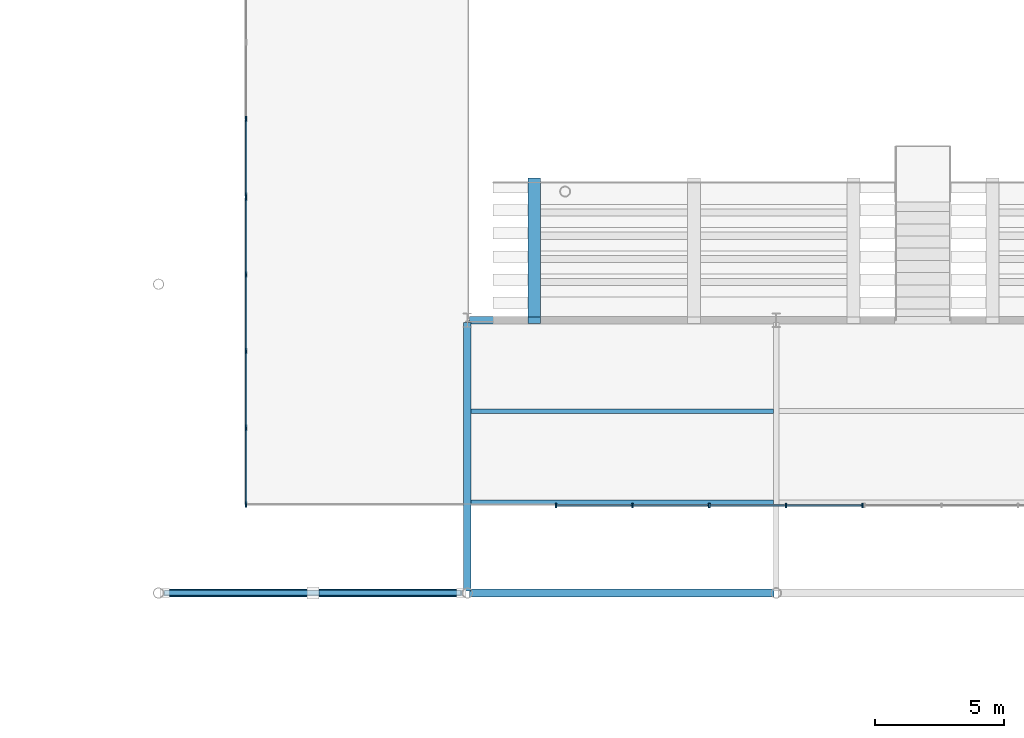
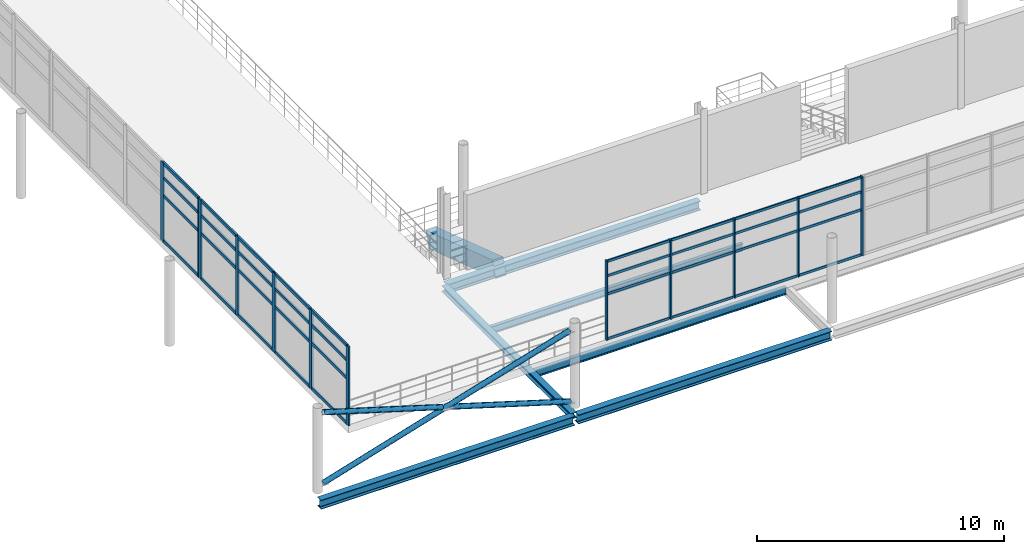
# One storey, part 26 of 89: 51 members, 7 beams, 3 elements without a shape of their own.
"""IFC4 building model written with IfcOpenShell, lengths in metres."""

from ifc_helpers import new_model, si_unit, direction, frame, origin, origin_2d, place, context, subcontext, project, spatial, rectangle, hollow_circle, i_section, extrude, material, material_profile, profile_set, type_object, element, aggregate, save


model = new_model("IFC4")

# Units and contexts
model_context = context("Model", 3, precision=1e-05, world=origin(), true_north=direction((0.0, 1.0)))
body_context = subcontext(model_context, "Body", "Model", "MODEL_VIEW")
ifc_project = project(units=[si_unit("LENGTHUNIT", "METRE"), si_unit("AREAUNIT", "SQUARE_METRE"), si_unit("VOLUMEUNIT", "CUBIC_METRE"), si_unit("PLANEANGLEUNIT", "RADIAN"), si_unit("MASSUNIT", "GRAM", prefix="KILO"), si_unit("THERMODYNAMICTEMPERATUREUNIT", "KELVIN"), si_unit("POWERUNIT", "WATT")], contexts=[model_context])

# Site, building, storey
site_placement = place(None, origin())
site = spatial("IfcSite", under=ifc_project, at=site_placement, CompositionType="ELEMENT")
building_placement = place(site_placement, origin())
building = spatial("IfcBuilding", under=site, at=building_placement, Name="Solmara Park Aquatics Centre", CompositionType="ELEMENT")
storey_placement = place(building_placement, frame((0.0, 0.0, 5.39990234375)))
storey = spatial("IfcBuildingStorey", under=building, at=storey_placement, Name="L01", CompositionType="ELEMENT", Elevation=5.39990234375)

# Curtain wall, members
ifc_material_1 = material(Name="Anodised Aluminium Curtain Wall Framing", Category="aluminium")
curtain_wall_type = type_object("IfcCurtainWallType", Name="ARC-CW-SYS05", PredefinedType="USERDEFINED", material=ifc_material_1)
curtain_wall_1_placement = place(storey_placement, origin())
curtain_wall_1 = element("IfcCurtainWall", 1, at=curtain_wall_1_placement, inside=storey, type_object=curtain_wall_type, Name="Curtain Wall CW-002", ObjectType="CURTAIN WALL", PredefinedType="USERDEFINED")
ifc_material_2 = material(Name="Anodised Aluminium Alloy 6063-T6", Category="aluminium")
ifc_material_profile_1 = material_profile(ifc_material_2, rectangle(XDim=0.06005859375, YDim=0.159912109375, at=origin_2d()), Name="ALU MULLION 60x160")
ifc_profile_set_1 = profile_set([ifc_material_profile_1], Name="Anodised Aluminium Alloy 6063-T6")
member_type_1 = type_object("IfcMemberType", Name="ARC-CWM-60x160", PredefinedType="MULLION", material=ifc_profile_set_1)
member_1_placement = place(storey_placement, frame((28.0400390625, 16.0, 0.0), z_axis=(0.0, 0.0, 1.0), x_axis=(1.0, 0.0, 0.0)))
member_1 = element("IfcMember", 2, at=member_1_placement, type_object=member_type_1, Name="CW-002 mullion 1", PredefinedType="MULLION", context=body_context, shape_type="SweptSolid", body=[
    extrude(rectangle(XDim=0.06005859375, YDim=0.159912109375, at=origin_2d()), origin(), (0.0, 0.0, 1.0), 3.900146484375),
])
member_2_placement = place(storey_placement, frame((31.02001953125, 16.0, 0.0), z_axis=(0.0, 0.0, 1.0), x_axis=(1.0, 0.0, 0.0)))
member_2 = element("IfcMember", 3, at=member_2_placement, type_object=member_type_1, Name="CW-002 mullion 2", PredefinedType="MULLION", context=body_context, shape_type="SweptSolid", body=[
    extrude(rectangle(XDim=0.06005859375, YDim=0.159912109375, at=origin_2d()), origin(), (0.0, 0.0, 1.0), 3.900146484375),
])
member_3_placement = place(storey_placement, frame((34.0, 16.0, 0.0), z_axis=(0.0, 0.0, 1.0), x_axis=(1.0, 0.0, 0.0)))
member_3 = element("IfcMember", 4, at=member_3_placement, type_object=member_type_1, Name="CW-002 mullion 3", PredefinedType="MULLION", context=body_context, shape_type="SweptSolid", body=[
    extrude(rectangle(XDim=0.06005859375, YDim=0.159912109375, at=origin_2d()), origin(), (0.0, 0.0, 1.0), 3.900146484375),
])
member_4_placement = place(storey_placement, frame((36.97998046875, 16.0, 0.0), z_axis=(0.0, 0.0, 1.0), x_axis=(1.0, 0.0, 0.0)))
member_4 = element("IfcMember", 5, at=member_4_placement, type_object=member_type_1, Name="CW-002 mullion 4", PredefinedType="MULLION", context=body_context, shape_type="SweptSolid", body=[
    extrude(rectangle(XDim=0.06005859375, YDim=0.159912109375, at=origin_2d()), origin(), (0.0, 0.0, 1.0), 3.900146484375),
])
member_5_placement = place(storey_placement, frame((39.9599609375, 16.0, 0.0), z_axis=(0.0, 0.0, 1.0), x_axis=(1.0, 0.0, 0.0)))
member_5 = element("IfcMember", 6, at=member_5_placement, type_object=member_type_1, Name="CW-002 mullion 5", PredefinedType="MULLION", context=body_context, shape_type="SweptSolid", body=[
    extrude(rectangle(XDim=0.06005859375, YDim=0.159912109375, at=origin_2d()), origin(), (0.0, 0.0, 1.0), 3.900146484375),
])

curtain_wall_2_placement = place(storey_placement, origin())
curtain_wall_2 = element("IfcCurtainWall", 7, at=curtain_wall_2_placement, inside=storey, type_object=curtain_wall_type, Name="Curtain Wall CW-012", ObjectType="CURTAIN WALL", PredefinedType="USERDEFINED")
ifc_material_profile_2 = material_profile(ifc_material_2, rectangle(XDim=0.074951171875, YDim=0.219970703125, at=origin_2d()), Name="ALU MULLION 75x220")
ifc_profile_set_2 = profile_set([ifc_material_profile_2], Name="Anodised Aluminium Alloy 6063-T6")
member_type_2 = type_object("IfcMemberType", Name="ARC-CWM-75x220", PredefinedType="MULLION", material=ifc_profile_set_2)
member_6_placement = place(storey_placement, frame((16.0, 16.0400390625, 0.0), z_axis=(0.0, 0.0, 1.0), x_axis=(1.0, 0.0, 0.0)))
member_6 = element("IfcMember", 8, at=member_6_placement, type_object=member_type_2, Name="CW-012 mullion 1", PredefinedType="MULLION", context=body_context, shape_type="SweptSolid", body=[
    extrude(rectangle(XDim=0.074951171875, YDim=0.219970703125, at=origin_2d()), origin(), (0.0, 0.0, 1.0), 3.900146484375),
])
member_7_placement = place(storey_placement, frame((16.0, 19.02001953125, 0.0), z_axis=(0.0, 0.0, 1.0), x_axis=(1.0, 0.0, 0.0)))
member_7 = element("IfcMember", 9, at=member_7_placement, type_object=member_type_2, Name="CW-012 mullion 2", PredefinedType="MULLION", context=body_context, shape_type="SweptSolid", body=[
    extrude(rectangle(XDim=0.074951171875, YDim=0.219970703125, at=origin_2d()), origin(), (0.0, 0.0, 1.0), 3.900146484375),
])
member_8_placement = place(storey_placement, frame((16.0, 22.0, 0.0), z_axis=(0.0, 0.0, 1.0), x_axis=(1.0, 0.0, 0.0)))
member_8 = element("IfcMember", 10, at=member_8_placement, type_object=member_type_2, Name="CW-012 mullion 3", PredefinedType="MULLION", context=body_context, shape_type="SweptSolid", body=[
    extrude(rectangle(XDim=0.074951171875, YDim=0.219970703125, at=origin_2d()), origin(), (0.0, 0.0, 1.0), 3.900146484375),
])
member_9_placement = place(storey_placement, frame((16.0, 24.97998046875, 0.0), z_axis=(0.0, 0.0, 1.0), x_axis=(1.0, 0.0, 0.0)))
member_9 = element("IfcMember", 11, at=member_9_placement, type_object=member_type_2, Name="CW-012 mullion 4", PredefinedType="MULLION", context=body_context, shape_type="SweptSolid", body=[
    extrude(rectangle(XDim=0.074951171875, YDim=0.219970703125, at=origin_2d()), origin(), (0.0, 0.0, 1.0), 3.900146484375),
])
member_10_placement = place(storey_placement, frame((16.0, 27.9599609375, 0.0), z_axis=(0.0, 0.0, 1.0), x_axis=(1.0, 0.0, 0.0)))
member_10 = element("IfcMember", 12, at=member_10_placement, type_object=member_type_2, Name="CW-012 mullion 5", PredefinedType="MULLION", context=body_context, shape_type="SweptSolid", body=[
    extrude(rectangle(XDim=0.074951171875, YDim=0.219970703125, at=origin_2d()), origin(), (0.0, 0.0, 1.0), 3.900146484375),
])

curtain_wall_3_placement = place(storey_placement, origin())
curtain_wall_3 = element("IfcCurtainWall", 13, at=curtain_wall_3_placement, inside=storey, type_object=curtain_wall_type, Name="Curtain Wall CW-014", ObjectType="CURTAIN WALL", PredefinedType="USERDEFINED")
member_11_placement = place(storey_placement, frame((16.0, 28.0400390625, 0.0), z_axis=(0.0, 0.0, 1.0), x_axis=(1.0, 0.0, 0.0)))
member_11 = element("IfcMember", 14, at=member_11_placement, type_object=member_type_2, Name="CW-014 mullion 1", PredefinedType="MULLION", context=body_context, shape_type="SweptSolid", body=[
    extrude(rectangle(XDim=0.074951171875, YDim=0.219970703125, at=origin_2d()), origin(), (0.0, 0.0, 1.0), 3.900146484375),
])
member_12_placement = place(storey_placement, frame((16.0, 31.02001953125, 0.0), z_axis=(0.0, 0.0, 1.0), x_axis=(1.0, 0.0, 0.0)))
member_12 = element("IfcMember", 15, at=member_12_placement, type_object=member_type_2, Name="CW-014 mullion 2", PredefinedType="MULLION", context=body_context, shape_type="SweptSolid", body=[
    extrude(rectangle(XDim=0.074951171875, YDim=0.219970703125, at=origin_2d()), origin(), (0.0, 0.0, 1.0), 3.900146484375),
])

# Member
ifc_material_profile_3 = material_profile(ifc_material_2, rectangle(XDim=0.06005859375, YDim=0.1201171875, at=origin_2d()), Name="ALU TRANSOM 60x120")
ifc_profile_set_3 = profile_set([ifc_material_profile_3], Name="Anodised Aluminium Alloy 6063-T6")
member_type_3 = type_object("IfcMemberType", Name="ARC-CWT-60x120", PredefinedType="USERDEFINED", material=ifc_profile_set_3)
member_13_placement = place(storey_placement, frame((28.06005859375, 16.0, 0.0400390625), z_axis=(1.0, 0.0, 0.0), x_axis=(0.0, 1.0, 0.0)))
member_13 = element("IfcMember", 16, at=member_13_placement, type_object=member_type_3, Name="CW-002 transom 1", ObjectType="TRANSOM", PredefinedType="USERDEFINED", context=body_context, shape_type="SweptSolid", body=[
    extrude(rectangle(XDim=0.06005859375, YDim=0.1201171875, at=origin_2d()), origin(), (0.0, 0.0, 1.0), 2.89990234375),
])

member_14_placement = place(storey_placement, frame((28.06005859375, 16.0, 2.26220703125), z_axis=(1.0, 0.0, 0.0), x_axis=(0.0, 1.0, 0.0)))
member_14 = element("IfcMember", 17, at=member_14_placement, type_object=member_type_3, Name="CW-002 transom 2", ObjectType="TRANSOM", PredefinedType="USERDEFINED", context=body_context, shape_type="SweptSolid", body=[
    extrude(rectangle(XDim=0.06005859375, YDim=0.1201171875, at=origin_2d()), origin(), (0.0, 0.0, 1.0), 2.89990234375),
])

member_15_placement = place(storey_placement, frame((28.06005859375, 16.0, 3.150146484375), z_axis=(1.0, 0.0, 0.0), x_axis=(0.0, 1.0, 0.0)))
member_15 = element("IfcMember", 18, at=member_15_placement, type_object=member_type_3, Name="CW-002 transom 3", ObjectType="TRANSOM", PredefinedType="USERDEFINED", context=body_context, shape_type="SweptSolid", body=[
    extrude(rectangle(XDim=0.06005859375, YDim=0.1201171875, at=origin_2d()), origin(), (0.0, 0.0, 1.0), 2.89990234375),
])

member_16_placement = place(storey_placement, frame((28.06005859375, 16.0, 3.860107421875), z_axis=(1.0, 0.0, 0.0), x_axis=(0.0, 1.0, 0.0)))
member_16 = element("IfcMember", 19, at=member_16_placement, type_object=member_type_3, Name="CW-002 transom 4", ObjectType="TRANSOM", PredefinedType="USERDEFINED", context=body_context, shape_type="SweptSolid", body=[
    extrude(rectangle(XDim=0.06005859375, YDim=0.1201171875, at=origin_2d()), origin(), (0.0, 0.0, 1.0), 2.89990234375),
])

member_17_placement = place(storey_placement, frame((31.0400390625, 16.0, 0.0400390625), z_axis=(1.0, 0.0, 0.0), x_axis=(0.0, 1.0, 0.0)))
member_17 = element("IfcMember", 20, at=member_17_placement, type_object=member_type_3, Name="CW-002 transom 5", ObjectType="TRANSOM", PredefinedType="USERDEFINED", context=body_context, shape_type="SweptSolid", body=[
    extrude(rectangle(XDim=0.06005859375, YDim=0.1201171875, at=origin_2d()), origin(), (0.0, 0.0, 1.0), 2.89990234375),
])

member_18_placement = place(storey_placement, frame((31.0400390625, 16.0, 2.26220703125), z_axis=(1.0, 0.0, 0.0), x_axis=(0.0, 1.0, 0.0)))
member_18 = element("IfcMember", 21, at=member_18_placement, type_object=member_type_3, Name="CW-002 transom 6", ObjectType="TRANSOM", PredefinedType="USERDEFINED", context=body_context, shape_type="SweptSolid", body=[
    extrude(rectangle(XDim=0.06005859375, YDim=0.1201171875, at=origin_2d()), origin(), (0.0, 0.0, 1.0), 2.89990234375),
])

member_19_placement = place(storey_placement, frame((31.0400390625, 16.0, 3.150146484375), z_axis=(1.0, 0.0, 0.0), x_axis=(0.0, 1.0, 0.0)))
member_19 = element("IfcMember", 22, at=member_19_placement, type_object=member_type_3, Name="CW-002 transom 7", ObjectType="TRANSOM", PredefinedType="USERDEFINED", context=body_context, shape_type="SweptSolid", body=[
    extrude(rectangle(XDim=0.06005859375, YDim=0.1201171875, at=origin_2d()), origin(), (0.0, 0.0, 1.0), 2.89990234375),
])

member_20_placement = place(storey_placement, frame((31.0400390625, 16.0, 3.860107421875), z_axis=(1.0, 0.0, 0.0), x_axis=(0.0, 1.0, 0.0)))
member_20 = element("IfcMember", 23, at=member_20_placement, type_object=member_type_3, Name="CW-002 transom 8", ObjectType="TRANSOM", PredefinedType="USERDEFINED", context=body_context, shape_type="SweptSolid", body=[
    extrude(rectangle(XDim=0.06005859375, YDim=0.1201171875, at=origin_2d()), origin(), (0.0, 0.0, 1.0), 2.89990234375),
])

member_21_placement = place(storey_placement, frame((34.02001953125, 16.0, 0.0400390625), z_axis=(1.0, 0.0, 0.0), x_axis=(0.0, 1.0, 0.0)))
member_21 = element("IfcMember", 24, at=member_21_placement, type_object=member_type_3, Name="CW-002 transom 9", ObjectType="TRANSOM", PredefinedType="USERDEFINED", context=body_context, shape_type="SweptSolid", body=[
    extrude(rectangle(XDim=0.06005859375, YDim=0.1201171875, at=origin_2d()), origin(), (0.0, 0.0, 1.0), 2.89990234375),
])

member_22_placement = place(storey_placement, frame((34.02001953125, 16.0, 2.26220703125), z_axis=(1.0, 0.0, 0.0), x_axis=(0.0, 1.0, 0.0)))
member_22 = element("IfcMember", 25, at=member_22_placement, type_object=member_type_3, Name="CW-002 transom 10", ObjectType="TRANSOM", PredefinedType="USERDEFINED", context=body_context, shape_type="SweptSolid", body=[
    extrude(rectangle(XDim=0.06005859375, YDim=0.1201171875, at=origin_2d()), origin(), (0.0, 0.0, 1.0), 2.89990234375),
])

member_23_placement = place(storey_placement, frame((34.02001953125, 16.0, 3.150146484375), z_axis=(1.0, 0.0, 0.0), x_axis=(0.0, 1.0, 0.0)))
member_23 = element("IfcMember", 26, at=member_23_placement, type_object=member_type_3, Name="CW-002 transom 11", ObjectType="TRANSOM", PredefinedType="USERDEFINED", context=body_context, shape_type="SweptSolid", body=[
    extrude(rectangle(XDim=0.06005859375, YDim=0.1201171875, at=origin_2d()), origin(), (0.0, 0.0, 1.0), 2.89990234375),
])

member_24_placement = place(storey_placement, frame((34.02001953125, 16.0, 3.860107421875), z_axis=(1.0, 0.0, 0.0), x_axis=(0.0, 1.0, 0.0)))
member_24 = element("IfcMember", 27, at=member_24_placement, type_object=member_type_3, Name="CW-002 transom 12", ObjectType="TRANSOM", PredefinedType="USERDEFINED", context=body_context, shape_type="SweptSolid", body=[
    extrude(rectangle(XDim=0.06005859375, YDim=0.1201171875, at=origin_2d()), origin(), (0.0, 0.0, 1.0), 2.89990234375),
])

member_25_placement = place(storey_placement, frame((37.0, 16.0, 0.0400390625), z_axis=(1.0, 0.0, 0.0), x_axis=(0.0, 1.0, 0.0)))
member_25 = element("IfcMember", 28, at=member_25_placement, type_object=member_type_3, Name="CW-002 transom 13", ObjectType="TRANSOM", PredefinedType="USERDEFINED", context=body_context, shape_type="SweptSolid", body=[
    extrude(rectangle(XDim=0.06005859375, YDim=0.1201171875, at=origin_2d()), origin(), (0.0, 0.0, 1.0), 2.89990234375),
])

member_26_placement = place(storey_placement, frame((37.0, 16.0, 2.26220703125), z_axis=(1.0, 0.0, 0.0), x_axis=(0.0, 1.0, 0.0)))
member_26 = element("IfcMember", 29, at=member_26_placement, type_object=member_type_3, Name="CW-002 transom 14", ObjectType="TRANSOM", PredefinedType="USERDEFINED", context=body_context, shape_type="SweptSolid", body=[
    extrude(rectangle(XDim=0.06005859375, YDim=0.1201171875, at=origin_2d()), origin(), (0.0, 0.0, 1.0), 2.89990234375),
])

member_27_placement = place(storey_placement, frame((37.0, 16.0, 3.150146484375), z_axis=(1.0, 0.0, 0.0), x_axis=(0.0, 1.0, 0.0)))
member_27 = element("IfcMember", 30, at=member_27_placement, type_object=member_type_3, Name="CW-002 transom 15", ObjectType="TRANSOM", PredefinedType="USERDEFINED", context=body_context, shape_type="SweptSolid", body=[
    extrude(rectangle(XDim=0.06005859375, YDim=0.1201171875, at=origin_2d()), origin(), (0.0, 0.0, 1.0), 2.89990234375),
])

member_28_placement = place(storey_placement, frame((37.0, 16.0, 3.860107421875), z_axis=(1.0, 0.0, 0.0), x_axis=(0.0, 1.0, 0.0)))
member_28 = element("IfcMember", 31, at=member_28_placement, type_object=member_type_3, Name="CW-002 transom 16", ObjectType="TRANSOM", PredefinedType="USERDEFINED", context=body_context, shape_type="SweptSolid", body=[
    extrude(rectangle(XDim=0.06005859375, YDim=0.1201171875, at=origin_2d()), origin(), (0.0, 0.0, 1.0), 2.89990234375),
])

aggregate(curtain_wall_1, [member_1, member_2, member_3, member_4, member_5, member_13, member_14, member_15, member_16, member_17, member_18, member_19, member_20, member_21, member_22, member_23, member_24, member_25, member_26, member_27, member_28])

ifc_material_profile_4 = material_profile(ifc_material_2, rectangle(XDim=0.074951171875, YDim=0.14990234375, at=origin_2d()), Name="ALU TRANSOM 75x150")
ifc_profile_set_4 = profile_set([ifc_material_profile_4], Name="Anodised Aluminium Alloy 6063-T6")
member_type_4 = type_object("IfcMemberType", Name="ARC-CWT-75x150", PredefinedType="USERDEFINED", material=ifc_profile_set_4)
member_29_placement = place(storey_placement, frame((16.0, 16.06005859375, 0.0400390625), z_axis=(0.0, 1.0, 0.0), x_axis=(-1.0, 0.0, 0.0)))
member_29 = element("IfcMember", 32, at=member_29_placement, type_object=member_type_4, Name="CW-012 transom 1", ObjectType="TRANSOM", PredefinedType="USERDEFINED", context=body_context, shape_type="SweptSolid", body=[
    extrude(rectangle(XDim=0.074951171875, YDim=0.14990234375, at=origin_2d()), origin(), (0.0, 0.0, 1.0), 2.89990234375),
])

member_30_placement = place(storey_placement, frame((16.0, 16.06005859375, 2.26220703125), z_axis=(0.0, 1.0, 0.0), x_axis=(-1.0, 0.0, 0.0)))
member_30 = element("IfcMember", 33, at=member_30_placement, type_object=member_type_4, Name="CW-012 transom 2", ObjectType="TRANSOM", PredefinedType="USERDEFINED", context=body_context, shape_type="SweptSolid", body=[
    extrude(rectangle(XDim=0.074951171875, YDim=0.14990234375, at=origin_2d()), origin(), (0.0, 0.0, 1.0), 2.89990234375),
])

member_31_placement = place(storey_placement, frame((16.0, 16.06005859375, 3.150146484375), z_axis=(0.0, 1.0, 0.0), x_axis=(-1.0, 0.0, 0.0)))
member_31 = element("IfcMember", 34, at=member_31_placement, type_object=member_type_4, Name="CW-012 transom 3", ObjectType="TRANSOM", PredefinedType="USERDEFINED", context=body_context, shape_type="SweptSolid", body=[
    extrude(rectangle(XDim=0.074951171875, YDim=0.14990234375, at=origin_2d()), origin(), (0.0, 0.0, 1.0), 2.89990234375),
])

member_32_placement = place(storey_placement, frame((16.0, 16.06005859375, 3.860107421875), z_axis=(0.0, 1.0, 0.0), x_axis=(-1.0, 0.0, 0.0)))
member_32 = element("IfcMember", 35, at=member_32_placement, type_object=member_type_4, Name="CW-012 transom 4", ObjectType="TRANSOM", PredefinedType="USERDEFINED", context=body_context, shape_type="SweptSolid", body=[
    extrude(rectangle(XDim=0.074951171875, YDim=0.14990234375, at=origin_2d()), origin(), (0.0, 0.0, 1.0), 2.89990234375),
])

member_33_placement = place(storey_placement, frame((16.0, 19.0400390625, 0.0400390625), z_axis=(0.0, 1.0, 0.0), x_axis=(-1.0, 0.0, 0.0)))
member_33 = element("IfcMember", 36, at=member_33_placement, type_object=member_type_4, Name="CW-012 transom 5", ObjectType="TRANSOM", PredefinedType="USERDEFINED", context=body_context, shape_type="SweptSolid", body=[
    extrude(rectangle(XDim=0.074951171875, YDim=0.14990234375, at=origin_2d()), origin(), (0.0, 0.0, 1.0), 2.89990234375),
])

member_34_placement = place(storey_placement, frame((16.0, 19.0400390625, 2.26220703125), z_axis=(0.0, 1.0, 0.0), x_axis=(-1.0, 0.0, 0.0)))
member_34 = element("IfcMember", 37, at=member_34_placement, type_object=member_type_4, Name="CW-012 transom 6", ObjectType="TRANSOM", PredefinedType="USERDEFINED", context=body_context, shape_type="SweptSolid", body=[
    extrude(rectangle(XDim=0.074951171875, YDim=0.14990234375, at=origin_2d()), origin(), (0.0, 0.0, 1.0), 2.89990234375),
])

member_35_placement = place(storey_placement, frame((16.0, 19.0400390625, 3.150146484375), z_axis=(0.0, 1.0, 0.0), x_axis=(-1.0, 0.0, 0.0)))
member_35 = element("IfcMember", 38, at=member_35_placement, type_object=member_type_4, Name="CW-012 transom 7", ObjectType="TRANSOM", PredefinedType="USERDEFINED", context=body_context, shape_type="SweptSolid", body=[
    extrude(rectangle(XDim=0.074951171875, YDim=0.14990234375, at=origin_2d()), origin(), (0.0, 0.0, 1.0), 2.89990234375),
])

member_36_placement = place(storey_placement, frame((16.0, 19.0400390625, 3.860107421875), z_axis=(0.0, 1.0, 0.0), x_axis=(-1.0, 0.0, 0.0)))
member_36 = element("IfcMember", 39, at=member_36_placement, type_object=member_type_4, Name="CW-012 transom 8", ObjectType="TRANSOM", PredefinedType="USERDEFINED", context=body_context, shape_type="SweptSolid", body=[
    extrude(rectangle(XDim=0.074951171875, YDim=0.14990234375, at=origin_2d()), origin(), (0.0, 0.0, 1.0), 2.89990234375),
])

member_37_placement = place(storey_placement, frame((16.0, 22.02001953125, 0.0400390625), z_axis=(0.0, 1.0, 0.0), x_axis=(-1.0, 0.0, 0.0)))
member_37 = element("IfcMember", 40, at=member_37_placement, type_object=member_type_4, Name="CW-012 transom 9", ObjectType="TRANSOM", PredefinedType="USERDEFINED", context=body_context, shape_type="SweptSolid", body=[
    extrude(rectangle(XDim=0.074951171875, YDim=0.14990234375, at=origin_2d()), origin(), (0.0, 0.0, 1.0), 2.89990234375),
])

member_38_placement = place(storey_placement, frame((16.0, 22.02001953125, 2.26220703125), z_axis=(0.0, 1.0, 0.0), x_axis=(-1.0, 0.0, 0.0)))
member_38 = element("IfcMember", 41, at=member_38_placement, type_object=member_type_4, Name="CW-012 transom 10", ObjectType="TRANSOM", PredefinedType="USERDEFINED", context=body_context, shape_type="SweptSolid", body=[
    extrude(rectangle(XDim=0.074951171875, YDim=0.14990234375, at=origin_2d()), origin(), (0.0, 0.0, 1.0), 2.89990234375),
])

member_39_placement = place(storey_placement, frame((16.0, 22.02001953125, 3.150146484375), z_axis=(0.0, 1.0, 0.0), x_axis=(-1.0, 0.0, 0.0)))
member_39 = element("IfcMember", 42, at=member_39_placement, type_object=member_type_4, Name="CW-012 transom 11", ObjectType="TRANSOM", PredefinedType="USERDEFINED", context=body_context, shape_type="SweptSolid", body=[
    extrude(rectangle(XDim=0.074951171875, YDim=0.14990234375, at=origin_2d()), origin(), (0.0, 0.0, 1.0), 2.89990234375),
])

member_40_placement = place(storey_placement, frame((16.0, 22.02001953125, 3.860107421875), z_axis=(0.0, 1.0, 0.0), x_axis=(-1.0, 0.0, 0.0)))
member_40 = element("IfcMember", 43, at=member_40_placement, type_object=member_type_4, Name="CW-012 transom 12", ObjectType="TRANSOM", PredefinedType="USERDEFINED", context=body_context, shape_type="SweptSolid", body=[
    extrude(rectangle(XDim=0.074951171875, YDim=0.14990234375, at=origin_2d()), origin(), (0.0, 0.0, 1.0), 2.89990234375),
])

member_41_placement = place(storey_placement, frame((16.0, 25.0, 0.0400390625), z_axis=(0.0, 1.0, 0.0), x_axis=(-1.0, 0.0, 0.0)))
member_41 = element("IfcMember", 44, at=member_41_placement, type_object=member_type_4, Name="CW-012 transom 13", ObjectType="TRANSOM", PredefinedType="USERDEFINED", context=body_context, shape_type="SweptSolid", body=[
    extrude(rectangle(XDim=0.074951171875, YDim=0.14990234375, at=origin_2d()), origin(), (0.0, 0.0, 1.0), 2.89990234375),
])

member_42_placement = place(storey_placement, frame((16.0, 25.0, 2.26220703125), z_axis=(0.0, 1.0, 0.0), x_axis=(-1.0, 0.0, 0.0)))
member_42 = element("IfcMember", 45, at=member_42_placement, type_object=member_type_4, Name="CW-012 transom 14", ObjectType="TRANSOM", PredefinedType="USERDEFINED", context=body_context, shape_type="SweptSolid", body=[
    extrude(rectangle(XDim=0.074951171875, YDim=0.14990234375, at=origin_2d()), origin(), (0.0, 0.0, 1.0), 2.89990234375),
])

member_43_placement = place(storey_placement, frame((16.0, 25.0, 3.150146484375), z_axis=(0.0, 1.0, 0.0), x_axis=(-1.0, 0.0, 0.0)))
member_43 = element("IfcMember", 46, at=member_43_placement, type_object=member_type_4, Name="CW-012 transom 15", ObjectType="TRANSOM", PredefinedType="USERDEFINED", context=body_context, shape_type="SweptSolid", body=[
    extrude(rectangle(XDim=0.074951171875, YDim=0.14990234375, at=origin_2d()), origin(), (0.0, 0.0, 1.0), 2.89990234375),
])

member_44_placement = place(storey_placement, frame((16.0, 25.0, 3.860107421875), z_axis=(0.0, 1.0, 0.0), x_axis=(-1.0, 0.0, 0.0)))
member_44 = element("IfcMember", 47, at=member_44_placement, type_object=member_type_4, Name="CW-012 transom 16", ObjectType="TRANSOM", PredefinedType="USERDEFINED", context=body_context, shape_type="SweptSolid", body=[
    extrude(rectangle(XDim=0.074951171875, YDim=0.14990234375, at=origin_2d()), origin(), (0.0, 0.0, 1.0), 2.89990234375),
])

aggregate(curtain_wall_2, [member_6, member_7, member_8, member_9, member_10, member_29, member_30, member_31, member_32, member_33, member_34, member_35, member_36, member_37, member_38, member_39, member_40, member_41, member_42, member_43, member_44])

member_45_placement = place(storey_placement, frame((16.0, 28.06005859375, 0.0400390625), z_axis=(0.0, 1.0, 0.0), x_axis=(-1.0, 0.0, 0.0)))
member_45 = element("IfcMember", 48, at=member_45_placement, type_object=member_type_4, Name="CW-014 transom 1", ObjectType="TRANSOM", PredefinedType="USERDEFINED", context=body_context, shape_type="SweptSolid", body=[
    extrude(rectangle(XDim=0.074951171875, YDim=0.14990234375, at=origin_2d()), origin(), (0.0, 0.0, 1.0), 2.89990234375),
])

member_46_placement = place(storey_placement, frame((16.0, 28.06005859375, 2.26220703125), z_axis=(0.0, 1.0, 0.0), x_axis=(-1.0, 0.0, 0.0)))
member_46 = element("IfcMember", 49, at=member_46_placement, type_object=member_type_4, Name="CW-014 transom 2", ObjectType="TRANSOM", PredefinedType="USERDEFINED", context=body_context, shape_type="SweptSolid", body=[
    extrude(rectangle(XDim=0.074951171875, YDim=0.14990234375, at=origin_2d()), origin(), (0.0, 0.0, 1.0), 2.89990234375),
])

member_47_placement = place(storey_placement, frame((16.0, 28.06005859375, 3.150146484375), z_axis=(0.0, 1.0, 0.0), x_axis=(-1.0, 0.0, 0.0)))
member_47 = element("IfcMember", 50, at=member_47_placement, type_object=member_type_4, Name="CW-014 transom 3", ObjectType="TRANSOM", PredefinedType="USERDEFINED", context=body_context, shape_type="SweptSolid", body=[
    extrude(rectangle(XDim=0.074951171875, YDim=0.14990234375, at=origin_2d()), origin(), (0.0, 0.0, 1.0), 2.89990234375),
])

member_48_placement = place(storey_placement, frame((16.0, 28.06005859375, 3.860107421875), z_axis=(0.0, 1.0, 0.0), x_axis=(-1.0, 0.0, 0.0)))
member_48 = element("IfcMember", 51, at=member_48_placement, type_object=member_type_4, Name="CW-014 transom 4", ObjectType="TRANSOM", PredefinedType="USERDEFINED", context=body_context, shape_type="SweptSolid", body=[
    extrude(rectangle(XDim=0.074951171875, YDim=0.14990234375, at=origin_2d()), origin(), (0.0, 0.0, 1.0), 2.89990234375),
])

aggregate(curtain_wall_3, [member_11, member_12, member_45, member_46, member_47, member_48])

# Beams
ifc_material_3 = material(Name="Structural Steel S355", Category="steel")
ifc_material_profile_5 = material_profile(ifc_material_3, i_section(OverallWidth=0.280029296875, OverallDepth=0.280029296875, WebThickness=0.010498046875, FlangeThickness=0.01806640625, FilletRadius=0.02392578125, at=origin_2d()), Name="HEB 280")
ifc_profile_set_5 = profile_set([ifc_material_profile_5], Name="Structural Steel S355")
beam_type_1 = type_object("IfcBeamType", Name="STR-BM-HEB280", PredefinedType="BEAM", material=ifc_profile_set_5)
beam_1_placement = place(storey_placement, frame((24.60009765625, 12.679931640625, -0.539794921875), z_axis=(0.0, 1.0, 0.0), x_axis=(-1.0, 0.0, 0.0)))
element("IfcBeam", 52, at=beam_1_placement, inside=storey, type_object=beam_type_1, Name="Girder BM-L01-0189", PredefinedType="BEAM", context=body_context, shape_type="SweptSolid", body=[
    extrude(i_section(OverallWidth=0.280029296875, OverallDepth=0.280029296875, WebThickness=0.010498046875, FlangeThickness=0.01806640625, FilletRadius=0.02392578125, at=origin_2d()), origin(), (0.0, 0.0, 1.0), 10.440185546875),
])
ifc_material_profile_6 = material_profile(ifc_material_3, i_section(OverallWidth=0.300048828125, OverallDepth=0.449951171875, WebThickness=0.013916015625, FlangeThickness=0.02587890625, FilletRadius=0.027099609375, at=origin_2d()), Name="HEB 450")
ifc_profile_set_6 = profile_set([ifc_material_profile_6], Name="Structural Steel S355")
beam_type_2 = type_object("IfcBeamType", Name="STR-BM-HEB450", PredefinedType="BEAM", material=ifc_profile_set_6)
for number, where, z_axis, x_axis, name in (
    (53, (12.679931640625, 12.60009765625, -0.625), (1.0, 0.0, 0.0), (0.0, 1.0, 0.0), "Girder BM-L01-0165"),
    (54, (24.679931640625, 12.60009765625, -0.625), (1.0, 0.0, 0.0), (0.0, 1.0, 0.0), "Girder BM-L01-0166"),
    (55, (24.679931640625, 23.199951171875, -0.625), (1.0, 0.0, 0.0), (0.0, 1.0, 0.0), "Girder BM-L01-0172"),
):
    element("IfcBeam", number, at=place(storey_placement, frame(where, z_axis=z_axis, x_axis=x_axis)), inside=storey, type_object=beam_type_2, Name=name, PredefinedType="BEAM", context=body_context, shape_type="SweptSolid", body=[
        extrude(i_section(OverallWidth=0.300048828125, OverallDepth=0.449951171875, WebThickness=0.013916015625, FlangeThickness=0.02587890625, FilletRadius=0.027099609375, at=origin_2d()), origin(), (0.0, 0.0, 1.0), 11.840087890625),
    ])

# Members
ifc_material_profile_7 = material_profile(ifc_material_3, hollow_circle(Radius=0.122314453125, WallThickness=0.012451171875, at=origin_2d()), Name="CHS 244.5x12.5")
ifc_profile_set_7 = profile_set([ifc_material_profile_7], Name="Structural Steel S355")
member_type_5 = type_object("IfcMemberType", Name="STR-BRC-CHS244", PredefinedType="BRACE", material=ifc_profile_set_7)
member_49_placement = place(storey_placement, frame((12.840087890625, 12.60009765625, 0.300048828125), z_axis=(0.956814728604, 0.0, 0.290698426425), x_axis=(0.0, 1.0, 0.0)))
element("IfcMember", 56, at=member_49_placement, inside=storey, type_object=member_type_5, Name="Continuous X-Brace Diagonal BRC-22", PredefinedType="BRACE", context=body_context, shape_type="SweptSolid", body=[
    extrude(hollow_circle(Radius=0.122314453125, WallThickness=0.012451171875, at=origin_2d()), origin(), (0.0, 0.0, 1.0), 12.0400390625),
])
member_50_placement = place(storey_placement, frame((24.360107421875, 12.60009765625, 0.300048828125), z_axis=(-0.956815994023, 0.0, 0.290694261349), x_axis=(0.0, -1.0, 0.0)))
element("IfcMember", 57, at=member_50_placement, inside=storey, type_object=member_type_5, Name="Split X-Brace Lower Segment BRC-23", PredefinedType="BRACE", context=body_context, shape_type="SweptSolid", body=[
    extrude(hollow_circle(Radius=0.122314453125, WallThickness=0.012451171875, at=origin_2d()), origin(), (0.0, 0.0, 1.0), 5.800048828125),
])
member_51_placement = place(storey_placement, frame((18.389404296875, 12.60009765625, 2.114013671875), z_axis=(-0.956812436817, 0.0, 0.290705969585), x_axis=(0.0, -1.0, 0.0)))
element("IfcMember", 58, at=member_51_placement, inside=storey, type_object=member_type_5, Name="Split X-Brace Upper Segment BRC-24", PredefinedType="BRACE", context=body_context, shape_type="SweptSolid", body=[
    extrude(hollow_circle(Radius=0.122314453125, WallThickness=0.012451171875, at=origin_2d()), origin(), (0.0, 0.0, 1.0), 5.7998046875),
])

# Beams
ifc_material_profile_8 = material_profile(ifc_material_3, i_section(OverallWidth=0.169921875, OverallDepth=0.360107421875, WebThickness=0.008056640625, FlangeThickness=0.0126953125, FilletRadius=0.01806640625, at=origin_2d()), Name="IPE 360")
ifc_profile_set_8 = profile_set([ifc_material_profile_8], Name="Structural Steel S355")
beam_type_3 = type_object("IfcBeamType", Name="STR-JST-IPE360", PredefinedType="JOIST", material=ifc_profile_set_8)
for number, where, z_axis, x_axis, name in (
    (59, (24.739990234375, 16.13330078125, -0.579833984375), (1.0, 0.0, 0.0), (0.0, 1.0, 0.0), "Floor Joist JST-L01-0105"),
    (60, (24.739990234375, 19.666748046875, -0.579833984375), (1.0, 0.0, 0.0), (0.0, 1.0, 0.0), "Floor Joist JST-L01-0106"),
):
    element("IfcBeam", number, at=place(storey_placement, frame(where, z_axis=z_axis, x_axis=x_axis)), inside=storey, type_object=beam_type_3, Name=name, PredefinedType="JOIST", context=body_context, shape_type="SweptSolid", body=[
        extrude(i_section(OverallWidth=0.169921875, OverallDepth=0.360107421875, WebThickness=0.008056640625, FlangeThickness=0.0126953125, FilletRadius=0.01806640625, at=origin_2d()), origin(), (0.0, 0.0, 1.0), 11.755126953125),
    ])
ifc_material_4 = material(Name="Concrete C40/50", Category="concrete")
ifc_material_profile_9 = material_profile(ifc_material_4, rectangle(XDim=0.5, YDim=0.800048828125, at=origin_2d()), Name="RC 500x800")
ifc_profile_set_9 = profile_set([ifc_material_profile_9], Name="Concrete C40/50")
beam_type_4 = type_object("IfcBeamType", Name="STR-RKR-RC500x800", PredefinedType="USERDEFINED", material=ifc_profile_set_9)
beam_2_placement = place(storey_placement, frame((27.199951171875, 28.60009765625, -2.31982421875), z_axis=(0.0, -0.948696164431, 0.316189164256), x_axis=(1.0, 0.0, 0.0)))
element("IfcBeam", 61, at=beam_2_placement, inside=storey, type_object=beam_type_4, Name="Spectator Stand RAKER Girder RKR-010", ObjectType="RAKER", PredefinedType="USERDEFINED", context=body_context, shape_type="SweptSolid", body=[
    extrude(rectangle(XDim=0.5, YDim=0.800048828125, at=origin_2d()), origin(), (0.0, 0.0, 1.0), 5.692138671875),
])

save(model, "model.ifc")
